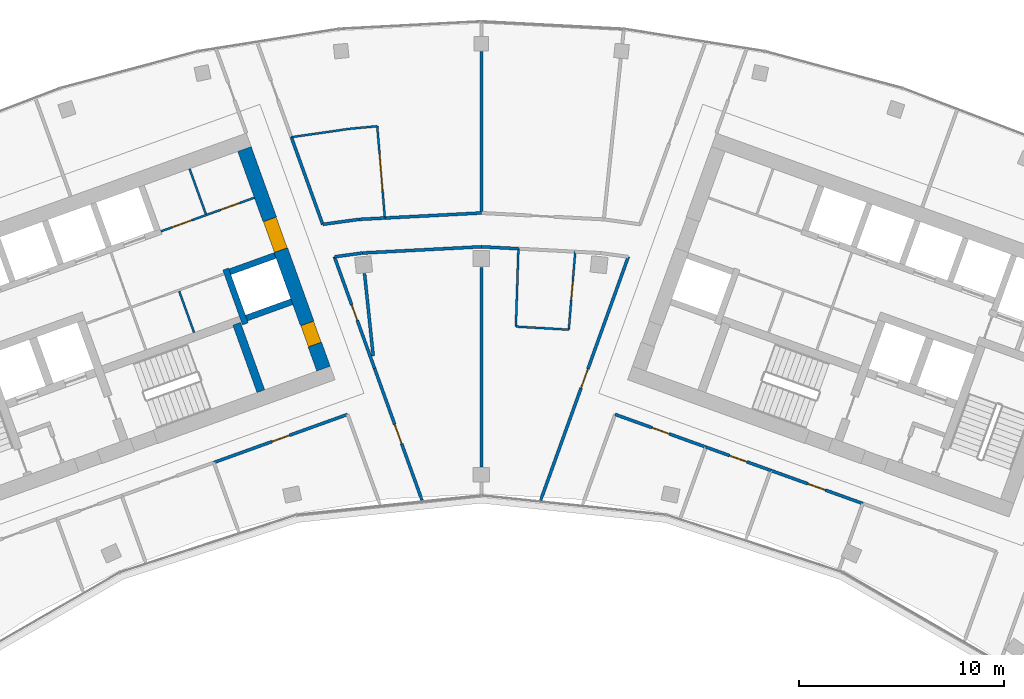
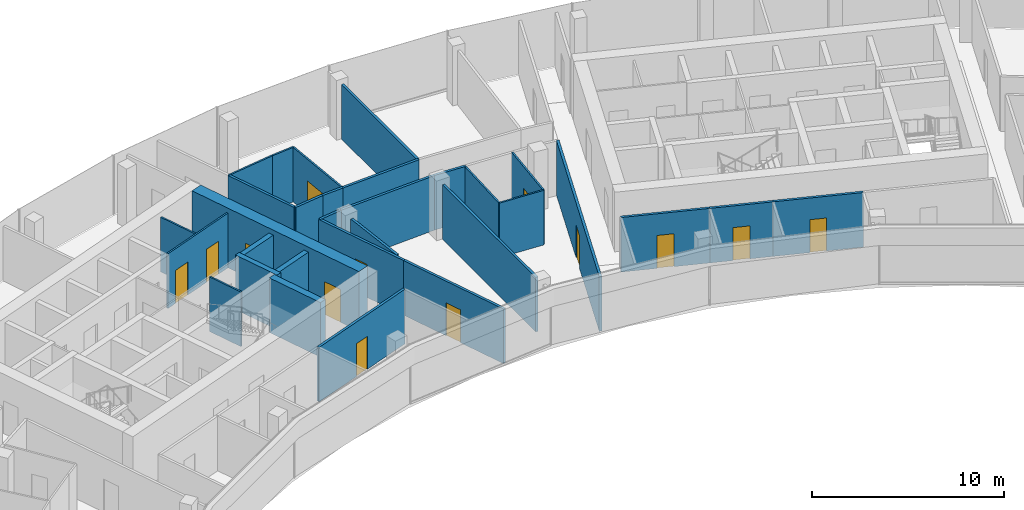
# One storey, part 14 of 18: 31 walls, 13 doors, 13 openings.
"""IFC4 building model written with IfcOpenShell, lengths in metres."""

from ifc_helpers import new_model, si_unit, direction, frame, frame_2d, origin, place, context, subcontext, project, spatial, rectangle, extrude, material, layer, layer_set, type_object, element, fill, save


model = new_model("IFC4")

# Units and contexts
model_context = context("Model", 3, precision=1e-05, world=origin(), true_north=direction((0.0, 1.0)))
body_context = subcontext(model_context, "Body", "Model", "MODEL_VIEW")
ifc_project = project(units=[si_unit("LENGTHUNIT", "METRE"), si_unit("AREAUNIT", "SQUARE_METRE"), si_unit("VOLUMEUNIT", "CUBIC_METRE"), si_unit("PLANEANGLEUNIT", "RADIAN"), si_unit("MASSUNIT", "GRAM", prefix="KILO")], contexts=[model_context])

# Site, building, storey
site_placement = place(None, origin())
site = spatial("IfcSite", under=ifc_project, at=site_placement, CompositionType="ELEMENT")
building_placement = place(site_placement, origin())
building = spatial("IfcBuilding", under=site, at=building_placement, Name="Stone Belt Terrace Tower", CompositionType="ELEMENT")
storey_placement = place(building_placement, frame((0.0, 0.0, 296.0)))
storey = spatial("IfcBuildingStorey", under=building, at=storey_placement, Name="L72", CompositionType="ELEMENT", Elevation=296.0)

# Wall
ifc_material_1 = material(Name="Plasterboard partition")
ifc_layer_1 = layer(ifc_material_1, 0.10009765625)
ifc_layer_set_1 = layer_set([ifc_layer_1], Name="Core partition 100")
wall_type_1 = type_object("IfcWallType", Name="Core partition 100", PredefinedType="PARTITIONING", material=ifc_layer_set_1)
wall_1_placement = place(storey_placement, frame((-14.029052734375, 51.38525390625, 0.0), z_axis=(0.0, 0.0, 1.0), x_axis=(-0.338622960269, 0.940922149159, 0.0)))
element("IfcWall", 1, at=wall_1_placement, inside=storey, type_object=wall_type_1, Name="Core A wall", PredefinedType="PARTITIONING", context=body_context, shape_type="SweptSolid", body=[
    extrude(rectangle(XDim=2.14990234375, YDim=0.10009765625, at=frame_2d((1.074951171875, 0.0))), origin(), (0.0, 0.0, 1.0), 3.47998046875),
])

# Wall, openings, doors
wall_2_placement = place(storey_placement, frame((-15.648681640625, 56.32861328125, 0.0), z_axis=(0.0, 0.0, 1.0), x_axis=(0.940905377977, 0.338669558262, 0.0)))
wall_2 = element("IfcWall", 2, at=wall_2_placement, inside=storey, type_object=wall_type_1, Name="Core A wall", PredefinedType="PARTITIONING", context=body_context, shape_type="SweptSolid", body=[
    extrude(rectangle(XDim=4.85009765625, YDim=0.10009765625, at=frame_2d((2.425048828125, 0.0))), origin(), (0.0, 0.0, 1.0), 3.47998046875),
])
opening_1_placement = place(wall_2_placement, frame((0.60009765625, 0.0, 0.0)))
opening_1 = element("IfcOpeningElement", 3, at=opening_1_placement, cuts=wall_2, Name="Opening L72-C01", PredefinedType="OPENING", context=body_context, shape_type="SweptSolid", body=[
    extrude(rectangle(XDim=1.0, YDim=2.10009765625, at=frame_2d((0.5, 1.050048828125))), frame((0.0, 0.06005859375, 0.0), z_axis=(0.0, -1.0, 0.0), x_axis=(1.0, 0.0, 0.0)), (0.0, 0.0, 1.0), 0.1201171875),
])
opening_2_placement = place(wall_2_placement, frame((3.10009765625, 0.0, 0.0)))
opening_2 = element("IfcOpeningElement", 4, at=opening_2_placement, cuts=wall_2, Name="Opening L72-C02", PredefinedType="OPENING", context=body_context, shape_type="SweptSolid", body=[
    extrude(rectangle(XDim=1.0, YDim=2.10009765625, at=frame_2d((0.5, 1.050048828125))), frame((0.0, 0.06005859375, 0.0), z_axis=(0.0, -1.0, 0.0), x_axis=(1.0, 0.0, 0.0)), (0.0, 0.0, 1.0), 0.1201171875),
])
ifc_material_2 = material(Name="Timber door leaf", Category="wood")
door_type_1 = type_object("IfcDoorType", Name="Core room door 1000", OperationType="SINGLE_SWING_LEFT", PredefinedType="DOOR", material=ifc_material_2)
door_1_placement = place(opening_1_placement, origin())
door_1 = element("IfcDoor", 5, at=door_1_placement, inside=storey, type_object=door_type_1, Name="Door to Plant room core A", OperationType="SINGLE_SWING_RIGHT", OverallHeight=2.10009765625, OverallWidth=1.0, PredefinedType="DOOR", context=body_context, shape_type="SweptSolid", body=[
    extrude(rectangle(XDim=1.0, YDim=2.10009765625, at=frame_2d((0.5, 1.050048828125))), frame((0.0, 0.02490234375, 0.0), z_axis=(0.0, -1.0, 0.0), x_axis=(1.0, 0.0, 0.0)), (0.0, 0.0, 1.0), 0.050048828125),
])
fill(opening_1, door_1)
door_2_placement = place(opening_2_placement, origin())
door_2 = element("IfcDoor", 6, at=door_2_placement, inside=storey, type_object=door_type_1, Name="Door to Electrical room core A", OperationType="SINGLE_SWING_LEFT", OverallHeight=2.10009765625, OverallWidth=1.0, PredefinedType="DOOR", context=body_context, shape_type="SweptSolid", body=[
    extrude(rectangle(XDim=1.0, YDim=2.10009765625, at=frame_2d((0.5, 1.050048828125))), frame((0.0, 0.02490234375, 0.0), z_axis=(0.0, -1.0, 0.0), x_axis=(1.0, 0.0, 0.0)), (0.0, 0.0, 1.0), 0.050048828125),
])
fill(opening_2, door_2)

# Wall
wall_3_placement = place(storey_placement, frame((-13.45458984375, 57.171630859375, 0.0), z_axis=(0.0, 0.0, 1.0), x_axis=(-0.338579668317, 0.940937728121, 0.0)))
element("IfcWall", 7, at=wall_3_placement, inside=storey, type_object=wall_type_1, Name="Core A wall", PredefinedType="PARTITIONING", context=body_context, shape_type="SweptSolid", body=[
    extrude(rectangle(XDim=2.35009765625, YDim=0.10009765625, at=frame_2d((1.175048828125, 0.0))), origin(), (0.0, 0.0, 1.0), 3.47998046875),
])

# Wall, openings, doors
ifc_material_3 = material(Name="Concrete B60", Category="concrete")
ifc_layer_2 = layer(ifc_material_3, 0.699951171875)
ifc_layer_set_2 = layer_set([ifc_layer_2], Name="Core wall 700 B60")
wall_type_2 = type_object("IfcWallType", Name="Core wall 700 B60", PredefinedType="SHEAR", material=ifc_layer_set_2)
wall_4_placement = place(storey_placement, frame((-7.70849609375, 49.621337890625, 0.0), z_axis=(0.0, 0.0, 1.0), x_axis=(-0.338606471282, 0.940928083121, 0.0)))
wall_4 = element("IfcWall", 8, at=wall_4_placement, inside=storey, type_object=wall_type_2, Name="Core A wall end_b L72", PredefinedType="SHEAR", context=body_context, shape_type="SweptSolid", body=[
    extrude(rectangle(XDim=11.39990234375, YDim=0.699951171875, at=frame_2d((5.699951171875, 0.0))), origin(), (0.0, 0.0, 1.0), 3.800048828125),
])
opening_3_placement = place(wall_4_placement, frame((6.14990234375, 0.0, 0.0)))
opening_3 = element("IfcOpeningElement", 9, at=opening_3_placement, cuts=wall_4, Name="Opening L72-C09", PredefinedType="OPENING", context=body_context, shape_type="SweptSolid", body=[
    extrude(rectangle(XDim=1.60009765625, YDim=2.10009765625, at=frame_2d((0.800048828125, 1.050048828125))), frame((0.0, 0.35986328125, 0.0), z_axis=(0.0, -1.0, 0.0), x_axis=(1.0, 0.0, 0.0)), (0.0, 0.0, 1.0), 0.719970703125),
])
opening_4_placement = place(wall_4_placement, frame((1.25, 0.0, 0.0)))
opening_4 = element("IfcOpeningElement", 10, at=opening_4_placement, cuts=wall_4, Name="Opening L72-C15", PredefinedType="OPENING", context=body_context, shape_type="SweptSolid", body=[
    extrude(rectangle(XDim=1.10009765625, YDim=2.10009765625, at=frame_2d((0.550048828125, 1.050048828125))), frame((0.0, 0.35986328125, 0.0), z_axis=(0.0, -1.0, 0.0), x_axis=(1.0, 0.0, 0.0)), (0.0, 0.0, 1.0), 0.719970703125),
])
door_type_2 = type_object("IfcDoorType", Name="Core room door 1100", OperationType="SINGLE_SWING_LEFT", PredefinedType="DOOR", material=ifc_material_2)
door_3_placement = place(opening_4_placement, origin())
door_3 = element("IfcDoor", 11, at=door_3_placement, inside=storey, type_object=door_type_2, Name="Door to Electrical riser room core A", OperationType="SINGLE_SWING_RIGHT", OverallHeight=2.10009765625, OverallWidth=1.10009765625, PredefinedType="DOOR", context=body_context, shape_type="SweptSolid", body=[
    extrude(rectangle(XDim=1.10009765625, YDim=2.10009765625, at=frame_2d((0.550048828125, 1.050048828125))), frame((0.0, 0.330078125, 0.0), z_axis=(0.0, -1.0, 0.0), x_axis=(1.0, 0.0, 0.0)), (0.0, 0.0, 1.0), 0.659912109375),
])
fill(opening_4, door_3)
ifc_material_4 = material(Name="Glazed aluminium door leaf", Category="aluminium")
door_type_3 = type_object("IfcDoorType", Name="Lift lobby entrance door 1600", OperationType="DOUBLE_DOOR_SINGLE_SWING", PredefinedType="DOOR", material=ifc_material_4)
door_4_placement = place(opening_3_placement, origin())
door_4 = element("IfcDoor", 12, at=door_4_placement, inside=storey, type_object=door_type_3, Name="Lift lobby entrance door core A", OperationType="DOUBLE_DOOR_SINGLE_SWING", OverallHeight=2.10009765625, OverallWidth=1.60009765625, PredefinedType="DOOR", context=body_context, shape_type="SweptSolid", body=[
    extrude(rectangle(XDim=1.60009765625, YDim=2.10009765625, at=frame_2d((0.800048828125, 1.050048828125))), frame((0.0, 0.330078125, 0.0), z_axis=(0.0, -1.0, 0.0), x_axis=(1.0, 0.0, 0.0)), (0.0, 0.0, 1.0), 0.659912109375),
])
fill(opening_3, door_4)

# Walls
ifc_material_5 = material(Name="Concrete B80", Category="concrete")
ifc_layer_3 = layer(ifc_material_5, 0.300048828125)
ifc_layer_set_3 = layer_set([ifc_layer_3], Name="Lift shaft wall 300")
wall_type_3 = type_object("IfcWallType", Name="Lift shaft wall 300", PredefinedType="SHEAR", material=ifc_layer_set_3)
wall_5_placement = place(storey_placement, frame((-11.5244140625, 51.808349609375, 0.0), z_axis=(0.0, 0.0, 1.0), x_axis=(-0.338625431531, 0.940921259788, 0.0)))
element("IfcWall", 13, at=wall_5_placement, inside=storey, type_object=wall_type_3, Name="Core A wall", PredefinedType="SHEAR", context=body_context, shape_type="SweptSolid", body=[
    extrude(rectangle(XDim=2.85009765625, YDim=0.300048828125, at=frame_2d((1.425048828125, 0.0))), origin(), (0.0, 0.0, 1.0), 3.47998046875),
])
wall_6_placement = place(storey_placement, frame((-11.468017578125, 52.09423828125, 0.0), z_axis=(0.0, 0.0, 1.0), x_axis=(0.940904627055, 0.338671644496, 0.0)))
element("IfcWall", 14, at=wall_6_placement, inside=storey, type_object=wall_type_3, Name="Core A wall", PredefinedType="SHEAR", context=body_context, shape_type="SweptSolid", body=[
    extrude(rectangle(XDim=2.35009765625, YDim=0.300048828125, at=frame_2d((1.175048828125, 0.0))), origin(), (0.0, 0.0, 1.0), 3.47998046875),
])
wall_7_placement = place(storey_placement, frame((-12.280517578125, 54.3525390625, 0.0), z_axis=(0.0, 0.0, 1.0), x_axis=(0.940925816745, 0.338612769078, 0.0)))
element("IfcWall", 15, at=wall_7_placement, inside=storey, type_object=wall_type_3, Name="Core A wall", PredefinedType="SHEAR", context=body_context, shape_type="SweptSolid", body=[
    extrude(rectangle(XDim=2.349853515625, YDim=0.300048828125, at=frame_2d((1.1748046875, 0.0))), origin(), (0.0, 0.0, 1.0), 3.47998046875),
])
ifc_material_6 = material(Name="Gypsum board partition")
ifc_layer_4 = layer(ifc_material_6, 0.10009765625)
ifc_layer_set_4 = layer_set([ifc_layer_4], Name="PARTITION 100")
wall_type_4 = type_object("IfcWallType", Name="PARTITION 100", PredefinedType="PARTITIONING", material=ifc_layer_set_4)
wall_8_placement = place(storey_placement, frame((1.81103515625, 55.47998046875, 0.0), z_axis=(0.0, 0.0, 1.0), x_axis=(-0.032586497073, -0.999468919081, 0.0)))
element("IfcWall", 16, at=wall_8_placement, inside=storey, type_object=wall_type_4, Name="L72/wall/i099", PredefinedType="PARTITIONING", context=body_context, shape_type="SweptSolid", body=[
    extrude(rectangle(XDim=3.805908203125, YDim=0.10009765625, at=frame_2d((1.90283203125, 0.0))), origin(), (0.0, 0.0, 1.0), 3.47998046875),
])
wall_9_placement = place(storey_placement, frame((1.68701171875, 51.676025390625, 0.0), z_axis=(0.0, 0.0, 1.0), x_axis=(0.998343277732, -0.057538680973, 0.0)))
element("IfcWall", 17, at=wall_9_placement, inside=storey, type_object=wall_type_4, Name="L72/wall/i100", PredefinedType="PARTITIONING", context=body_context, shape_type="SweptSolid", body=[
    extrude(rectangle(XDim=2.58837890625, YDim=0.10009765625, at=frame_2d((1.294189453125, 0.0))), origin(), (0.0, 0.0, 1.0), 3.47998046875),
])

# Wall, opening, door
wall_10_placement = place(storey_placement, frame((4.27099609375, 51.527099609375, 0.0), z_axis=(0.0, 0.0, 1.0), x_axis=(0.082426767344, 0.996597124231, 0.0)))
wall_10 = element("IfcWall", 18, at=wall_10_placement, inside=storey, type_object=wall_type_4, Name="L72/wall/i101", PredefinedType="PARTITIONING", context=body_context, shape_type="SweptSolid", body=[
    extrude(rectangle(XDim=3.82080078125, YDim=0.10009765625, at=frame_2d((1.910400390625, 0.0))), origin(), (0.0, 0.0, 1.0), 3.47998046875),
])
opening_5_placement = place(wall_10_placement, frame((1.46044921875, 0.0, 0.0)))
opening_5 = element("IfcOpeningElement", 19, at=opening_5_placement, cuts=wall_10, Name="Opening D-E5-30", PredefinedType="OPENING", context=body_context, shape_type="SweptSolid", body=[
    extrude(rectangle(XDim=0.89990234375, YDim=2.10009765625, at=frame_2d((0.449951171875, 1.050048828125))), frame((0.0, 0.06005859375, 0.0), z_axis=(0.0, -1.0, 0.0), x_axis=(1.0, 0.0, 0.0)), (0.0, 0.0, 1.0), 0.1201171875),
])
door_type_4 = type_object("IfcDoorType", Name="OFFICE DOOR 900 X 2100", OperationType="NOTDEFINED", PredefinedType="DOOR", material=ifc_material_2)
door_5_placement = place(opening_5_placement, origin())
door_5 = element("IfcDoor", 20, at=door_5_placement, inside=storey, type_object=door_type_4, Name="L72/door/i30", OperationType="SINGLE_SWING_RIGHT", OverallHeight=2.10009765625, OverallWidth=0.89990234375, PredefinedType="DOOR", context=body_context, shape_type="SweptSolid", body=[
    extrude(rectangle(XDim=0.89990234375, YDim=2.10009765625, at=frame_2d((0.449951171875, 1.050048828125))), frame((0.0, 0.02490234375, 0.0), z_axis=(0.0, -1.0, 0.0), x_axis=(1.0, 0.0, 0.0)), (0.0, 0.0, 1.0), 0.050048828125),
])
fill(opening_5, door_5)

wall_11_placement = place(storey_placement, frame((-4.7119140625, 56.97802734375, 0.0), z_axis=(0.0, 0.0, 1.0), x_axis=(-0.082461797713, 0.996594226312, 0.0)))
wall_11 = element("IfcWall", 21, at=wall_11_placement, inside=storey, type_object=wall_type_4, Name="L72/wall/i102", PredefinedType="PARTITIONING", context=body_context, shape_type="SweptSolid", body=[
    extrude(rectangle(XDim=4.500244140625, YDim=0.10009765625, at=frame_2d((2.25, 0.0))), origin(), (0.0, 0.0, 1.0), 3.47998046875),
])
opening_6_placement = place(wall_11_placement, frame((1.35009765625, 0.0, 0.0)))
opening_6 = element("IfcOpeningElement", 22, at=opening_6_placement, cuts=wall_11, Name="Opening D-E5-32", PredefinedType="OPENING", context=body_context, shape_type="SweptSolid", body=[
    extrude(rectangle(XDim=1.800048828125, YDim=2.10009765625, at=frame_2d((0.89990234375, 1.050048828125))), frame((0.0, 0.06005859375, 0.0), z_axis=(0.0, -1.0, 0.0), x_axis=(1.0, 0.0, 0.0)), (0.0, 0.0, 1.0), 0.1201171875),
])
door_type_5 = type_object("IfcDoorType", Name="DOUBLE DOOR 1800 X 2100", OperationType="DOUBLE_DOOR_SINGLE_SWING", PredefinedType="DOOR", material=ifc_material_2)
door_6_placement = place(opening_6_placement, origin())
door_6 = element("IfcDoor", 23, at=door_6_placement, inside=storey, type_object=door_type_5, Name="L72/door/i32", OperationType="DOUBLE_DOOR_SINGLE_SWING", OverallHeight=2.10009765625, OverallWidth=1.800048828125, PredefinedType="DOOR", context=body_context, shape_type="SweptSolid", body=[
    extrude(rectangle(XDim=1.800048828125, YDim=2.10009765625, at=frame_2d((0.89990234375, 1.050048828125))), frame((0.0, 0.02490234375, 0.0), z_axis=(0.0, -1.0, 0.0), x_axis=(1.0, 0.0, 0.0)), (0.0, 0.0, 1.0), 0.050048828125),
])
fill(opening_6, door_6)

# Walls
wall_12_placement = place(storey_placement, frame((-5.0830078125, 61.462890625, 0.0), z_axis=(0.0, 0.0, 1.0), x_axis=(-0.995630602558, -0.093379351305, 0.0)))
element("IfcWall", 24, at=wall_12_placement, inside=storey, type_object=wall_type_4, Name="L72/wall/i103", PredefinedType="PARTITIONING", context=body_context, shape_type="SweptSolid", body=[
    extrude(rectangle(XDim=1.3701171875, YDim=0.10009765625, at=frame_2d((0.68505859375, 0.0))), origin(), (0.0, 0.0, 1.0), 3.47998046875),
])
wall_13_placement = place(storey_placement, frame((-6.447021484375, 61.3349609375, 0.0), z_axis=(0.0, 0.0, 1.0), x_axis=(-0.989735062647, -0.142914330167, 0.0)))
element("IfcWall", 25, at=wall_13_placement, inside=storey, type_object=wall_type_4, Name="L72/wall/i104", PredefinedType="PARTITIONING", context=body_context, shape_type="SweptSolid", body=[
    extrude(rectangle(XDim=2.861328125, YDim=0.10009765625, at=frame_2d((1.4306640625, 0.0))), origin(), (0.0, 0.0, 1.0), 3.47998046875),
])

# Wall, opening, door
ifc_layer_5 = layer(ifc_material_6, 0.14990234375)
ifc_layer_set_5 = layer_set([ifc_layer_5], Name="PARTITION 150 EI 60")
wall_type_5 = type_object("IfcWallType", Name="PARTITION 150 EI 60", PredefinedType="PARTITIONING", material=ifc_layer_set_5)
wall_14_placement = place(storey_placement, frame((-7.177978515625, 55.089111328125, 0.0), z_axis=(0.0, 0.0, 1.0), x_axis=(0.338629980572, -0.940919622634, 0.0)))
wall_14 = element("IfcWall", 26, at=wall_14_placement, inside=storey, type_object=wall_type_5, Name="L72/wall/i011", PredefinedType="PARTITIONING", context=body_context, shape_type="SweptSolid", body=[
    extrude(rectangle(XDim=5.796630859375, YDim=0.14990234375, at=frame_2d((2.8984375, 0.0))), origin(), (0.0, 0.0, 1.0), 3.47998046875),
])
opening_7_placement = place(wall_14_placement, frame((2.498291015625, 0.0, 0.0)))
opening_7 = element("IfcOpeningElement", 27, at=opening_7_placement, cuts=wall_14, Name="Opening D-E5-27", PredefinedType="OPENING", context=body_context, shape_type="SweptSolid", body=[
    extrude(rectangle(XDim=0.800048828125, YDim=2.10009765625, at=frame_2d((0.39990234375, 1.050048828125))), frame((0.0, 0.0849609375, 0.0), z_axis=(0.0, -1.0, 0.0), x_axis=(1.0, 0.0, 0.0)), (0.0, 0.0, 1.0), 0.169921875),
])
door_type_6 = type_object("IfcDoorType", Name="STORE DOOR 800 X 2100", OperationType="NOTDEFINED", PredefinedType="DOOR", material=ifc_material_2)
door_7_placement = place(opening_7_placement, origin())
door_7 = element("IfcDoor", 28, at=door_7_placement, inside=storey, type_object=door_type_6, Name="L72/door/i27", OperationType="SINGLE_SWING_LEFT", OverallHeight=2.10009765625, OverallWidth=0.800048828125, PredefinedType="DOOR", context=body_context, shape_type="SweptSolid", body=[
    extrude(rectangle(XDim=0.800048828125, YDim=2.10009765625, at=frame_2d((0.39990234375, 1.050048828125))), frame((0.0, 0.02490234375, 0.0), z_axis=(0.0, -1.0, 0.0), x_axis=(1.0, 0.0, 0.0)), (0.0, 0.0, 1.0), 0.050048828125),
])
fill(opening_7, door_7)

wall_15_placement = place(storey_placement, frame((-5.22509765625, 49.6630859375, 0.0), z_axis=(0.0, 0.0, 1.0), x_axis=(0.338558474785, -0.940945353966, 0.0)))
wall_15 = element("IfcWall", 29, at=wall_15_placement, inside=storey, type_object=wall_type_5, Name="L72/wall/i012", PredefinedType="PARTITIONING", context=body_context, shape_type="SweptSolid", body=[
    extrude(rectangle(XDim=6.873779296875, YDim=0.14990234375, at=frame_2d((3.43701171875, 0.0))), origin(), (0.0, 0.0, 1.0), 3.47998046875),
])
opening_8_placement = place(wall_15_placement, frame((2.936767578125, 0.0, 0.0)))
opening_8 = element("IfcOpeningElement", 30, at=opening_8_placement, cuts=wall_15, Name="Opening D-E5-28", PredefinedType="OPENING", context=body_context, shape_type="SweptSolid", body=[
    extrude(rectangle(XDim=1.0, YDim=2.10009765625, at=frame_2d((0.5, 1.050048828125))), frame((0.0, 0.0849609375, 0.0), z_axis=(0.0, -1.0, 0.0), x_axis=(1.0, 0.0, 0.0)), (0.0, 0.0, 1.0), 0.169921875),
])
ifc_material_7 = material(Name="Timber fire door leaf", Category="wood")
door_type_7 = type_object("IfcDoorType", Name="TENANCY ENTRANCE DOOR 1000 X 2100", OperationType="NOTDEFINED", PredefinedType="DOOR", material=ifc_material_7)
door_8_placement = place(opening_8_placement, origin())
door_8 = element("IfcDoor", 31, at=door_8_placement, inside=storey, type_object=door_type_7, Name="L72/door/i28", OperationType="SINGLE_SWING_RIGHT", OverallHeight=2.10009765625, OverallWidth=1.0, PredefinedType="DOOR", context=body_context, shape_type="SweptSolid", body=[
    extrude(rectangle(XDim=1.0, YDim=2.10009765625, at=frame_2d((0.5, 1.050048828125))), frame((0.0, 0.02490234375, 0.0), z_axis=(0.0, -1.0, 0.0), x_axis=(1.0, 0.0, 0.0)), (0.0, 0.0, 1.0), 0.050048828125),
])
fill(opening_8, door_8)

# Wall
wall_16_placement = place(storey_placement, frame((-9.281005859375, 60.931884765625, 0.0), z_axis=(0.0, 0.0, 1.0), x_axis=(0.338616542034, -0.940924458956, 0.0)))
element("IfcWall", 32, at=wall_16_placement, inside=storey, type_object=wall_type_5, Name="L72/wall/i014", PredefinedType="PARTITIONING", context=body_context, shape_type="SweptSolid", body=[
    extrude(rectangle(XDim=4.535888671875, YDim=0.14990234375, at=frame_2d((2.26806640625, 0.0))), origin(), (0.0, 0.0, 1.0), 3.47998046875),
])

# Wall, opening, door
wall_17_placement = place(storey_placement, frame((-6.532958984375, 47.387939453125, 0.0), z_axis=(0.0, 0.0, 1.0), x_axis=(-0.940934873565, -0.338587601233, 0.0)))
wall_17 = element("IfcWall", 33, at=wall_17_placement, inside=storey, type_object=wall_type_5, Name="L72/wall/i018", PredefinedType="PARTITIONING", context=body_context, shape_type="SweptSolid", body=[
    extrude(rectangle(XDim=6.949462890625, YDim=0.14990234375, at=frame_2d((3.474609375, 0.0))), origin(), (0.0, 0.0, 1.0), 3.47998046875),
])
opening_9_placement = place(wall_17_placement, frame((3.024658203125, 0.0, 0.0)))
opening_9 = element("IfcOpeningElement", 34, at=opening_9_placement, cuts=wall_17, Name="Opening D-E5-04", PredefinedType="OPENING", context=body_context, shape_type="SweptSolid", body=[
    extrude(rectangle(XDim=0.89990234375, YDim=2.10009765625, at=frame_2d((0.449951171875, 1.050048828125))), frame((0.0, 0.0849609375, 0.0), z_axis=(0.0, -1.0, 0.0), x_axis=(1.0, 0.0, 0.0)), (0.0, 0.0, 1.0), 0.169921875),
])
door_9_placement = place(opening_9_placement, origin())
door_9 = element("IfcDoor", 35, at=door_9_placement, inside=storey, type_object=door_type_4, Name="L72/door/i04", OperationType="SINGLE_SWING_RIGHT", OverallHeight=2.10009765625, OverallWidth=0.89990234375, PredefinedType="DOOR", context=body_context, shape_type="SweptSolid", body=[
    extrude(rectangle(XDim=0.89990234375, YDim=2.10009765625, at=frame_2d((0.449951171875, 1.050048828125))), frame((0.0, 0.02490234375, 0.0), z_axis=(0.0, -1.0, 0.0), x_axis=(1.0, 0.0, 0.0)), (0.0, 0.0, 1.0), 0.050048828125),
])
fill(opening_9, door_9)

wall_18_placement = place(storey_placement, frame((2.89794921875, 43.1953125, 0.0), z_axis=(0.0, 0.0, 1.0), x_axis=(0.338597725617, 0.940931230328, 0.0)))
wall_18 = element("IfcWall", 36, at=wall_18_placement, inside=storey, type_object=wall_type_5, Name="L72/wall/i025", PredefinedType="PARTITIONING", context=body_context, shape_type="SweptSolid", body=[
    extrude(rectangle(XDim=12.640380859375, YDim=0.14990234375, at=frame_2d((6.3203125, 0.0))), origin(), (0.0, 0.0, 1.0), 3.47998046875),
])
opening_10_placement = place(wall_18_placement, frame((5.820068359375, 0.0, 0.0)))
opening_10 = element("IfcOpeningElement", 37, at=opening_10_placement, cuts=wall_18, Name="Opening D-E5-29", PredefinedType="OPENING", context=body_context, shape_type="SweptSolid", body=[
    extrude(rectangle(XDim=1.0, YDim=2.10009765625, at=frame_2d((0.5, 1.050048828125))), frame((0.0, 0.0849609375, 0.0), z_axis=(0.0, -1.0, 0.0), x_axis=(1.0, 0.0, 0.0)), (0.0, 0.0, 1.0), 0.169921875),
])
door_10_placement = place(opening_10_placement, origin())
door_10 = element("IfcDoor", 38, at=door_10_placement, inside=storey, type_object=door_type_7, Name="L72/door/i29", OperationType="SINGLE_SWING_LEFT", OverallHeight=2.10009765625, OverallWidth=1.0, PredefinedType="DOOR", context=body_context, shape_type="SweptSolid", body=[
    extrude(rectangle(XDim=1.0, YDim=2.10009765625, at=frame_2d((0.5, 1.050048828125))), frame((0.0, 0.02490234375, 0.0), z_axis=(0.0, -1.0, 0.0), x_axis=(1.0, 0.0, 0.0)), (0.0, 0.0, 1.0), 0.050048828125),
])
fill(opening_10, door_10)

wall_19_placement = place(storey_placement, frame((10.97607421875, 45.7890625, 0.0), z_axis=(0.0, 0.0, 1.0), x_axis=(-0.94093090438, 0.338598631396, 0.0)))
wall_19 = element("IfcWall", 39, at=wall_19_placement, inside=storey, type_object=wall_type_5, Name="L72/wall/i033", PredefinedType="PARTITIONING", context=body_context, shape_type="SweptSolid", body=[
    extrude(rectangle(XDim=4.721923828125, YDim=0.14990234375, at=frame_2d((2.36083984375, 0.0))), origin(), (0.0, 0.0, 1.0), 3.47998046875),
])
opening_11_placement = place(wall_19_placement, frame((1.910888671875, 0.0, 0.0)))
opening_11 = element("IfcOpeningElement", 40, at=opening_11_placement, cuts=wall_19, Name="Opening D-E5-07", PredefinedType="OPENING", context=body_context, shape_type="SweptSolid", body=[
    extrude(rectangle(XDim=0.89990234375, YDim=2.10009765625, at=frame_2d((0.449951171875, 1.050048828125))), frame((0.0, 0.0849609375, 0.0), z_axis=(0.0, -1.0, 0.0), x_axis=(1.0, 0.0, 0.0)), (0.0, 0.0, 1.0), 0.169921875),
])
door_11_placement = place(opening_11_placement, origin())
door_11 = element("IfcDoor", 41, at=door_11_placement, inside=storey, type_object=door_type_4, Name="L72/door/i07", OperationType="SINGLE_SWING_RIGHT", OverallHeight=2.10009765625, OverallWidth=0.89990234375, PredefinedType="DOOR", context=body_context, shape_type="SweptSolid", body=[
    extrude(rectangle(XDim=0.89990234375, YDim=2.10009765625, at=frame_2d((0.449951171875, 1.050048828125))), frame((0.0, 0.02490234375, 0.0), z_axis=(0.0, -1.0, 0.0), x_axis=(1.0, 0.0, 0.0)), (0.0, 0.0, 1.0), 0.050048828125),
])
fill(opening_11, door_11)

wall_20_placement = place(storey_placement, frame((14.135986328125, 44.652099609375, 0.0), z_axis=(0.0, 0.0, 1.0), x_axis=(-0.940982474793, 0.338455288232, 0.0)))
wall_20 = element("IfcWall", 42, at=wall_20_placement, inside=storey, type_object=wall_type_5, Name="L72/wall/i034", PredefinedType="PARTITIONING", context=body_context, shape_type="SweptSolid", body=[
    extrude(rectangle(XDim=3.370849609375, YDim=0.14990234375, at=frame_2d((1.685546875, 0.0))), origin(), (0.0, 0.0, 1.0), 3.47998046875),
])
opening_12_placement = place(wall_20_placement, frame((1.235595703125, 0.0, 0.0)))
opening_12 = element("IfcOpeningElement", 43, at=opening_12_placement, cuts=wall_20, Name="Opening D-E5-08", PredefinedType="OPENING", context=body_context, shape_type="SweptSolid", body=[
    extrude(rectangle(XDim=0.89990234375, YDim=2.10009765625, at=frame_2d((0.449951171875, 1.050048828125))), frame((0.0, 0.0849609375, 0.0), z_axis=(0.0, -1.0, 0.0), x_axis=(1.0, 0.0, 0.0)), (0.0, 0.0, 1.0), 0.169921875),
])
door_12_placement = place(opening_12_placement, origin())
door_12 = element("IfcDoor", 44, at=door_12_placement, inside=storey, type_object=door_type_4, Name="L72/door/i08", OperationType="SINGLE_SWING_RIGHT", OverallHeight=2.10009765625, OverallWidth=0.89990234375, PredefinedType="DOOR", context=body_context, shape_type="SweptSolid", body=[
    extrude(rectangle(XDim=0.89990234375, YDim=2.10009765625, at=frame_2d((0.449951171875, 1.050048828125))), frame((0.0, 0.02490234375, 0.0), z_axis=(0.0, -1.0, 0.0), x_axis=(1.0, 0.0, 0.0)), (0.0, 0.0, 1.0), 0.050048828125),
])
fill(opening_12, door_12)

wall_21_placement = place(storey_placement, frame((18.635009765625, 43.032958984375, 0.0), z_axis=(0.0, 0.0, 1.0), x_axis=(-0.94092441718, 0.338616658118, 0.0)))
wall_21 = element("IfcWall", 45, at=wall_21_placement, inside=storey, type_object=wall_type_5, Name="L72/wall/i035", PredefinedType="PARTITIONING", context=body_context, shape_type="SweptSolid", body=[
    extrude(rectangle(XDim=4.793212890625, YDim=0.14990234375, at=frame_2d((2.396484375, 0.0))), origin(), (0.0, 0.0, 1.0), 3.47998046875),
])
opening_13_placement = place(wall_21_placement, frame((1.946533203125, 0.0, 0.0)))
opening_13 = element("IfcOpeningElement", 46, at=opening_13_placement, cuts=wall_21, Name="Opening D-E5-09", PredefinedType="OPENING", context=body_context, shape_type="SweptSolid", body=[
    extrude(rectangle(XDim=0.89990234375, YDim=2.10009765625, at=frame_2d((0.449951171875, 1.050048828125))), frame((0.0, 0.0849609375, 0.0), z_axis=(0.0, -1.0, 0.0), x_axis=(1.0, 0.0, 0.0)), (0.0, 0.0, 1.0), 0.169921875),
])
door_13_placement = place(opening_13_placement, origin())
door_13 = element("IfcDoor", 47, at=door_13_placement, inside=storey, type_object=door_type_4, Name="L72/door/i09", OperationType="SINGLE_SWING_RIGHT", OverallHeight=2.10009765625, OverallWidth=0.89990234375, PredefinedType="DOOR", context=body_context, shape_type="SweptSolid", body=[
    extrude(rectangle(XDim=0.89990234375, YDim=2.10009765625, at=frame_2d((0.449951171875, 1.050048828125))), frame((0.0, 0.02490234375, 0.0), z_axis=(0.0, -1.0, 0.0), x_axis=(1.0, 0.0, 0.0)), (0.0, 0.0, 1.0), 0.050048828125),
])
fill(opening_13, door_13)

# Walls
wall_22_placement = place(storey_placement, frame((-5.80908203125, 55.27099609375, 0.0), z_axis=(0.0, 0.0, 1.0), x_axis=(-0.990675556397, -0.136242217972, 0.0)))
element("IfcWall", 48, at=wall_22_placement, inside=storey, type_object=wall_type_5, Name="L72/wall/i085", PredefinedType="PARTITIONING", context=body_context, shape_type="SweptSolid", body=[
    extrude(rectangle(XDim=1.3798828125, YDim=0.14990234375, at=frame_2d((0.68994140625, 0.0))), origin(), (0.0, 0.0, 1.0), 3.47998046875),
])
wall_23_placement = place(storey_placement, frame((0.0, 55.574951171875, 0.0), z_axis=(0.0, 0.0, 1.0), x_axis=(-0.998633897938, -0.052252635241, 0.0)))
element("IfcWall", 49, at=wall_23_placement, inside=storey, type_object=wall_type_5, Name="L72/wall/i086", PredefinedType="PARTITIONING", context=body_context, shape_type="SweptSolid", body=[
    extrude(rectangle(XDim=5.817138671875, YDim=0.14990234375, at=frame_2d((2.90869140625, 0.0))), origin(), (0.0, 0.0, 1.0), 3.47998046875),
])
wall_24_placement = place(storey_placement, frame((1.81689453125, 55.47998046875, 0.0), z_axis=(0.0, 0.0, 1.0), x_axis=(-0.998636669852, 0.052199632434, 0.0)))
element("IfcWall", 50, at=wall_24_placement, inside=storey, type_object=wall_type_5, Name="L72/wall/i087", PredefinedType="PARTITIONING", context=body_context, shape_type="SweptSolid", body=[
    extrude(rectangle(XDim=1.8193359375, YDim=0.14990234375, at=frame_2d((0.90966796875, 0.0))), origin(), (0.0, 0.0, 1.0), 3.47998046875),
])
wall_25_placement = place(storey_placement, frame((-4.718017578125, 56.97802734375, 0.0), z_axis=(0.0, 0.0, 1.0), x_axis=(0.998631641463, 0.052295742363, 0.0)))
element("IfcWall", 51, at=wall_25_placement, inside=storey, type_object=wall_type_5, Name="L72/wall/i091", PredefinedType="PARTITIONING", context=body_context, shape_type="SweptSolid", body=[
    extrude(rectangle(XDim=4.724365234375, YDim=0.14990234375, at=frame_2d((2.3623046875, 0.0))), origin(), (0.0, 0.0, 1.0), 3.47998046875),
])
wall_26_placement = place(storey_placement, frame((-7.7470703125, 56.669921875, 0.0), z_axis=(0.0, 0.0, 1.0), x_axis=(0.990718093798, 0.135932551735, 0.0)))
element("IfcWall", 52, at=wall_26_placement, inside=storey, type_object=wall_type_5, Name="L72/wall/i092", PredefinedType="PARTITIONING", context=body_context, shape_type="SweptSolid", body=[
    extrude(rectangle(XDim=1.78173828125, YDim=0.14990234375, at=frame_2d((0.890869140625, 0.0))), origin(), (0.0, 0.0, 1.0), 3.47998046875),
])
wall_27_placement = place(storey_placement, frame((-5.98193359375, 56.912109375, 0.0), z_axis=(0.0, 0.0, 1.0), x_axis=(0.998628366561, 0.052358241951, 0.0)))
element("IfcWall", 53, at=wall_27_placement, inside=storey, type_object=wall_type_5, Name="L72/wall/i093", PredefinedType="PARTITIONING", context=body_context, shape_type="SweptSolid", body=[
    extrude(rectangle(XDim=1.277587890625, YDim=0.14990234375, at=frame_2d((0.638671875, 0.0))), origin(), (0.0, 0.0, 1.0), 3.47998046875),
])
wall_28_placement = place(storey_placement, frame((-5.703857421875, 54.27099609375, 0.0), z_axis=(0.0, 0.0, 1.0), x_axis=(0.104543798856, -0.994520283413, 0.0)))
element("IfcWall", 54, at=wall_28_placement, inside=storey, type_object=wall_type_5, Name="L72/wall/i096", PredefinedType="PARTITIONING", context=body_context, shape_type="SweptSolid", body=[
    extrude(rectangle(XDim=4.056396484375, YDim=0.14990234375, at=frame_2d((2.0283203125, 0.0))), origin(), (0.0, 0.0, 1.0), 3.47998046875),
])
wall_29_placement = place(storey_placement, frame((0.0, 54.570068359375, 0.0), z_axis=(0.0, 0.0, 1.0), x_axis=(0.0, -1.0, 0.0)))
element("IfcWall", 55, at=wall_29_placement, inside=storey, type_object=wall_type_5, Name="L72/wall/i097", PredefinedType="PARTITIONING", context=body_context, shape_type="SweptSolid", body=[
    extrude(rectangle(XDim=9.7451171875, YDim=0.14990234375, at=frame_2d((4.87255859375, 0.0))), origin(), (0.0, 0.0, 1.0), 3.47998046875),
])
wall_30_placement = place(storey_placement, frame((0.0, 65.10888671875, 0.0), z_axis=(0.0, 0.0, 1.0), x_axis=(0.0, -1.0, 0.0)))
element("IfcWall", 56, at=wall_30_placement, inside=storey, type_object=wall_type_5, Name="L72/wall/i106", PredefinedType="PARTITIONING", context=body_context, shape_type="SweptSolid", body=[
    extrude(rectangle(XDim=7.8837890625, YDim=0.14990234375, at=frame_2d((3.94189453125, 0.0))), origin(), (0.0, 0.0, 1.0), 3.47998046875),
])
ifc_layer_6 = layer(ifc_material_5, 0.39990234375)
ifc_layer_set_6 = layer_set([ifc_layer_6], Name="Stair enclosure wall 400")
wall_type_6 = type_object("IfcWallType", Name="Stair enclosure wall 400", PredefinedType="SHEAR", material=ifc_layer_set_6)
wall_31_placement = place(storey_placement, frame((-10.766357421875, 48.520751953125, 0.0), z_axis=(0.0, 0.0, 1.0), x_axis=(-0.338655246459, 0.940910529246, 0.0)))
element("IfcWall", 57, at=wall_31_placement, inside=storey, type_object=wall_type_6, Name="Core A wall", PredefinedType="SHEAR", context=body_context, shape_type="SweptSolid", body=[
    extrude(rectangle(XDim=3.5, YDim=0.39990234375, at=frame_2d((1.75, 0.0))), origin(), (0.0, 0.0, 1.0), 3.47998046875),
])

save(model, "model.ifc")
